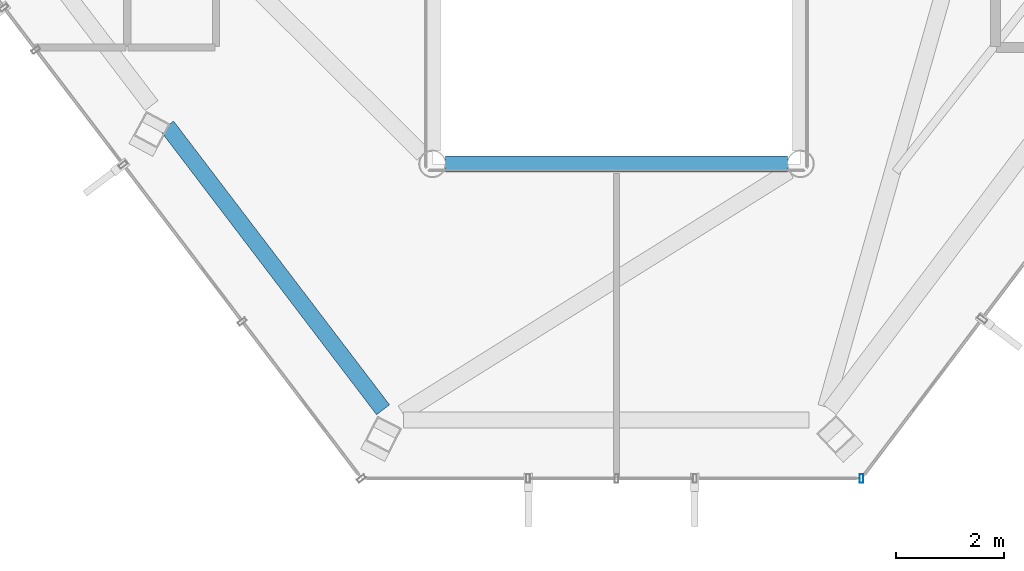
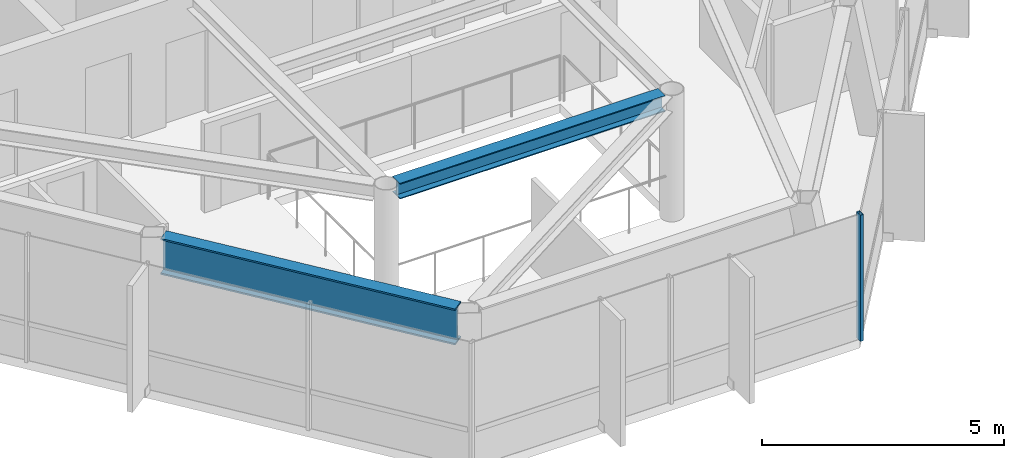
# One storey, part 6 of 25: 2 beams, 1 member, 1 element without a shape of its own.
"""IFC4 building model written with IfcOpenShell, lengths in metres."""

from ifc_helpers import new_model, si_unit, direction, frame, origin, origin_2d, place, context, subcontext, project, spatial, hollow_rectangle, i_section, extrude, material, layer, layer_set, material_profile, profile_set, type_object, element, aggregate, save


model = new_model("IFC4")

# Units and contexts
model_context = context("Model", 3, precision=1e-05, world=origin(), true_north=direction((0.0, 1.0)))
body_context = subcontext(model_context, "Body", "Model", "MODEL_VIEW")
ifc_project = project(units=[si_unit("LENGTHUNIT", "METRE"), si_unit("AREAUNIT", "SQUARE_METRE"), si_unit("VOLUMEUNIT", "CUBIC_METRE"), si_unit("PLANEANGLEUNIT", "RADIAN"), si_unit("MASSUNIT", "GRAM", prefix="KILO")], contexts=[model_context])

# Site, building, storey
site_placement = place(None, origin())
site = spatial("IfcSite", under=ifc_project, at=site_placement, CompositionType="ELEMENT")
building_placement = place(site_placement, origin())
building = spatial("IfcBuilding", under=site, at=building_placement, Name="Zarrinselat Tower", CompositionType="ELEMENT")
storey_placement = place(building_placement, frame((0.0, 0.0, 275.39990234375)))
storey = spatial("IfcBuildingStorey", under=building, at=storey_placement, Name="L70", CompositionType="ELEMENT", Elevation=275.39990234375)

# Beams
ifc_material_1 = material(Name="Steel S355J2", Category="steel")
ifc_material_profile_1 = material_profile(ifc_material_1, i_section(OverallWidth=0.300048828125, OverallDepth=0.39990234375, WebThickness=0.013427734375, FlangeThickness=0.02392578125, at=origin_2d()), Name="HEB 400")
ifc_profile_set_1 = profile_set([ifc_material_profile_1], Name="Steel S355J2")
beam_type_1 = type_object("IfcBeamType", Name="BM-HEB400", PredefinedType="BEAM", material=ifc_profile_set_1)
beam_1_placement = place(storey_placement, frame((35.239990234375, 25.199951171875, 2.97998046875), z_axis=(1.0, 0.0, 0.0), x_axis=(0.0, 1.0, 0.0)))
element("IfcBeam", 1, at=beam_1_placement, inside=storey, type_object=beam_type_1, Name="L70 Atrium Edge Beam S", PredefinedType="BEAM", context=body_context, shape_type="SweptSolid", body=[
    extrude(i_section(OverallWidth=0.300048828125, OverallDepth=0.39990234375, WebThickness=0.013427734375, FlangeThickness=0.02392578125, at=origin_2d()), origin(), (0.0, 0.0, 1.0), 6.320068359375),
])
ifc_material_2 = material(Name="Steel S460M", Category="steel")
ifc_material_profile_2 = material_profile(ifc_material_2, i_section(OverallWidth=0.302001953125, OverallDepth=0.909912109375, WebThickness=0.02099609375, FlangeThickness=0.0400390625, at=origin_2d()), Name="HEM 900")
ifc_profile_set_2 = profile_set([ifc_material_profile_2], Name="Steel S460M")
beam_type_2 = type_object("IfcBeamType", Name="BM-HEM900", PredefinedType="BEAM", material=ifc_profile_set_2)
beam_2_placement = place(storey_placement, frame((30.097900390625, 25.89892578125, 2.72509765625), z_axis=(0.605778504263, -0.795633335006, 0.0), x_axis=(0.795633335006, 0.605778504263, 0.0)))
element("IfcBeam", 2, at=beam_2_placement, inside=storey, type_object=beam_type_2, Name="L70 Perimeter Spandrel Girder SP09", PredefinedType="BEAM", context=body_context, shape_type="SweptSolid", body=[
    extrude(i_section(OverallWidth=0.302001953125, OverallDepth=0.909912109375, WebThickness=0.02099609375, FlangeThickness=0.0400390625, at=origin_2d()), origin(), (0.0, 0.0, 1.0), 6.586669921875),
])

# Curtain wall, member
ifc_material_3 = material(Name="Extruded Aluminium Alloy EN AW-6063 T6", Category="aluminium")
ifc_layer = layer(ifc_material_3, 0.169921875)
ifc_layer_set = layer_set([ifc_layer], Name="Extruded Aluminium Alloy EN AW-6063 T6")
curtain_wall_type = type_object("IfcCurtainWallType", Name="CWS-RES", PredefinedType="NOTDEFINED", material=ifc_layer_set)
curtain_wall_placement = place(storey_placement, origin())
curtain_wall = element("IfcCurtainWall", 3, at=curtain_wall_placement, inside=storey, type_object=curtain_wall_type, Name="L70 Unitised Curtain Wall CW-L70-E04", PredefinedType="NOTDEFINED")
ifc_material_4 = material(Name="Extruded Aluminium Alloy EN AW-6063 T6", Category="aluminium")
ifc_material_profile_3 = material_profile(ifc_material_4, hollow_rectangle(XDim=0.070068359375, YDim=0.159912109375, WallThickness=0.00390625, at=origin_2d()), Name="RHS 160x70x4")
ifc_profile_set_3 = profile_set([ifc_material_profile_3], Name="Extruded Aluminium Alloy EN AW-6063 T6")
member_type = type_object("IfcMemberType", Name="MEM-CW-MUL2", PredefinedType="MULLION", material=ifc_profile_set_3)
member_placement = place(storey_placement, frame((42.927001953125, 19.387939453125, 0.0), z_axis=(0.0, 0.0, 1.0), x_axis=(1.0, 0.0, 0.0)))
member = element("IfcMember", 4, at=member_placement, type_object=member_type, Name="CW-L70-E04 Mullion 4", PredefinedType="MULLION", context=body_context, shape_type="SweptSolid", body=[
    extrude(hollow_rectangle(XDim=0.070068359375, YDim=0.159912109375, WallThickness=0.00390625, at=origin_2d()), origin(), (0.0, 0.0, 1.0), 3.18017578125),
])
aggregate(curtain_wall, [member])

save(model, "model.ifc")
